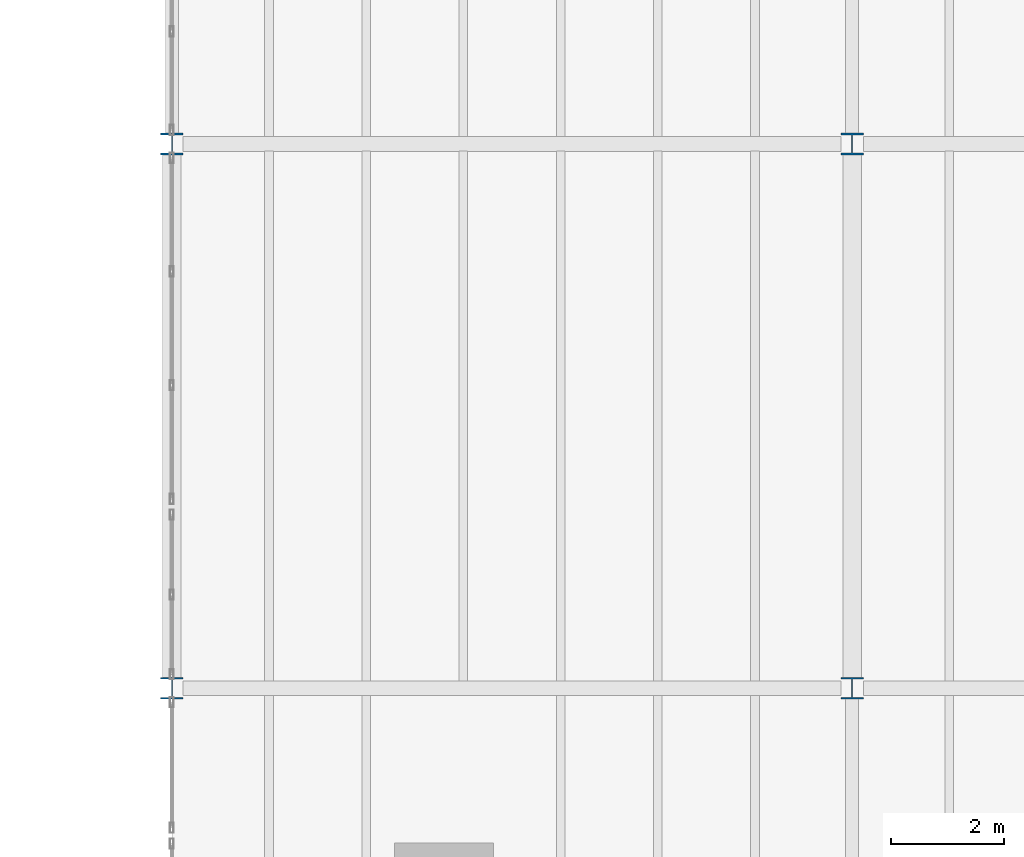
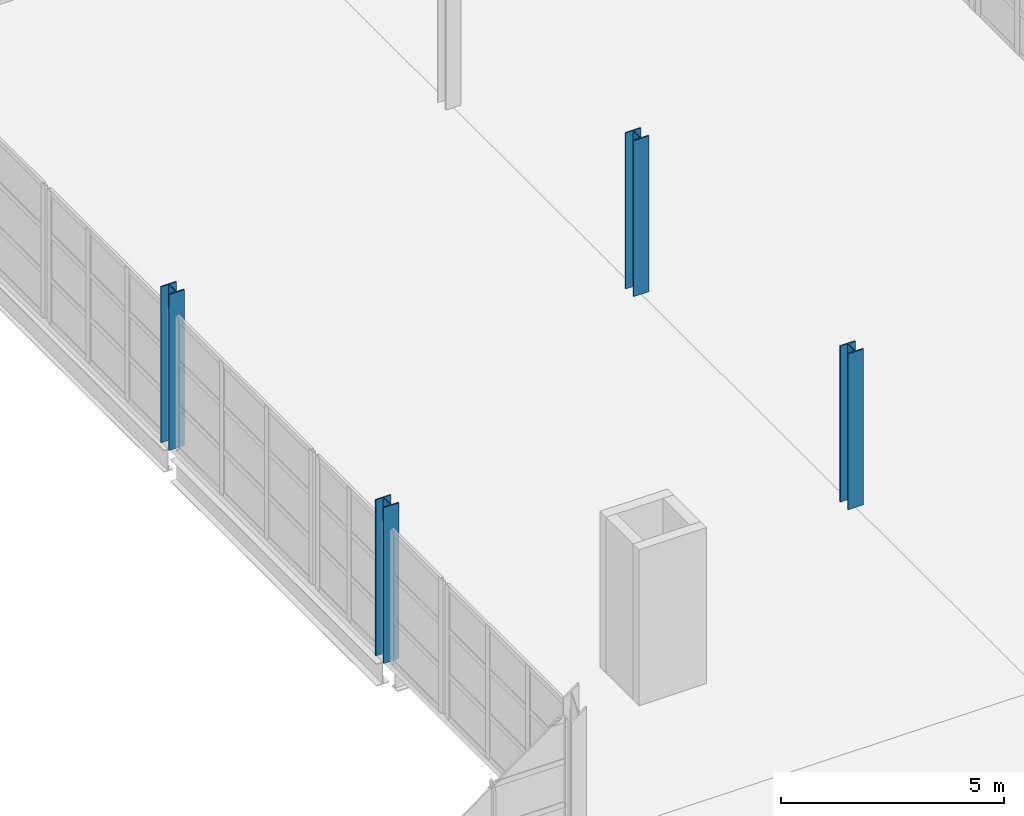
# One storey, part 6 of 114: 4 columns.
"""IFC4 building model written with IfcOpenShell, lengths in metres."""

from ifc_helpers import new_model, si_unit, direction, frame, origin, origin_2d, place, context, subcontext, project, spatial, i_section, extrude, material, material_profile, profile_set, type_object, element, save


model = new_model("IFC4")

# Units and contexts
model_context = context("Model", 3, precision=1e-05, world=origin(), true_north=direction((0.0, 1.0)))
body_context = subcontext(model_context, "Body", "Model", "MODEL_VIEW")
ifc_project = project(units=[si_unit("LENGTHUNIT", "METRE"), si_unit("AREAUNIT", "SQUARE_METRE"), si_unit("VOLUMEUNIT", "CUBIC_METRE"), si_unit("PLANEANGLEUNIT", "RADIAN"), si_unit("MASSUNIT", "GRAM", prefix="KILO")], contexts=[model_context])

# Site, building, storey
site_placement = place(None, origin())
site = spatial("IfcSite", under=ifc_project, at=site_placement, CompositionType="ELEMENT")
building_placement = place(site_placement, origin())
building = spatial("IfcBuilding", under=site, at=building_placement, Name="Kelmvaro Bay Concert Hall", CompositionType="ELEMENT")
storey_placement = place(building_placement, frame((0.0, 0.0, 4.800048828125)))
storey = spatial("IfcBuildingStorey", under=building, at=storey_placement, Name="L01", CompositionType="ELEMENT", Elevation=4.800048828125)

# Columns
ifc_material = material(Name="Steel ASTM A992 Grade 50", Category="steel")
ifc_material_profile = material_profile(ifc_material, i_section(OverallWidth=0.39599609375, OverallDepth=0.381103515625, WebThickness=0.018798828125, FlangeThickness=0.0302734375, at=origin_2d()), Name="W14X159")
ifc_profile_set = profile_set([ifc_material_profile], Name="Steel ASTM A992 Grade 50")
column_type = type_object("IfcColumnType", Name="Foyer Concourse Column W14x159", PredefinedType="COLUMN", material=ifc_profile_set)
for number, where, z_axis, x_axis, name in (
    (1, (108.0, 47.39990234375, 0.0), (0.0, 0.0, 1.0), (1.0, 0.0, 0.0), "L01 Column V5E-108-474"),
    (2, (108.0, 57.0, 0.0), (0.0, 0.0, 1.0), (1.0, 0.0, 0.0), "L01 Column V5E-108-570"),
    (3, (120.0, 47.39990234375, 0.0), (0.0, 0.0, 1.0), (1.0, 0.0, 0.0), "L01 Column V5E-120-474"),
    (4, (120.0, 57.0, 0.0), (0.0, 0.0, 1.0), (1.0, 0.0, 0.0), "L01 Column V5E-120-570"),
):
    element("IfcColumn", number, at=place(storey_placement, frame(where, z_axis=z_axis, x_axis=x_axis)), inside=storey, type_object=column_type, Name=name, PredefinedType="COLUMN", context=body_context, shape_type="SweptSolid", body=[
        extrude(i_section(OverallWidth=0.39599609375, OverallDepth=0.381103515625, WebThickness=0.018798828125, FlangeThickness=0.0302734375, at=origin_2d()), origin(), (0.0, 0.0, 1.0), 4.260009765625),
    ])

save(model, "model.ifc")
